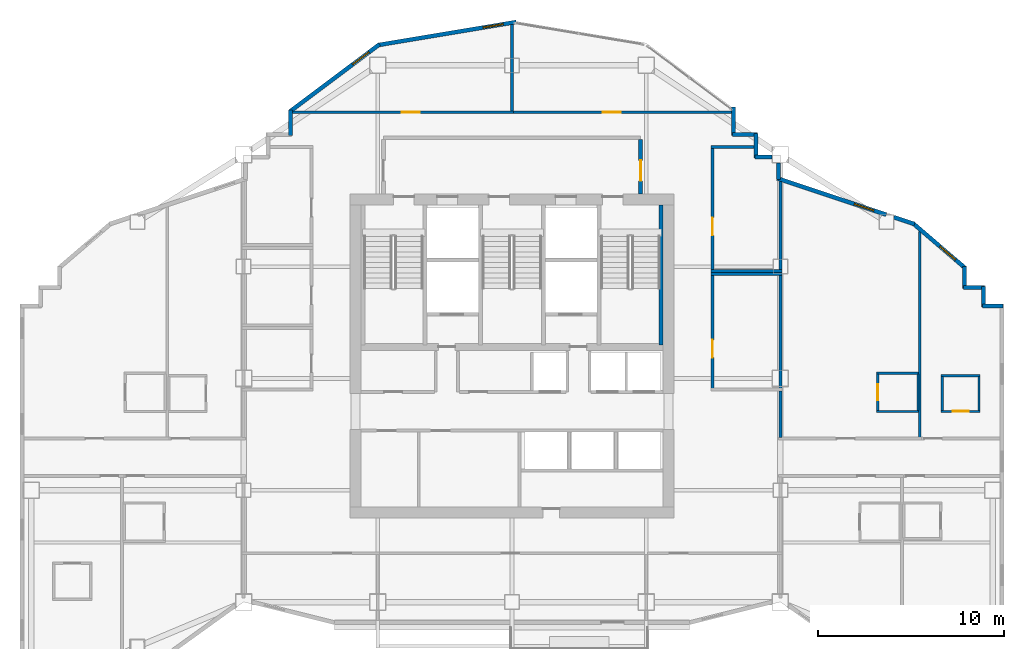
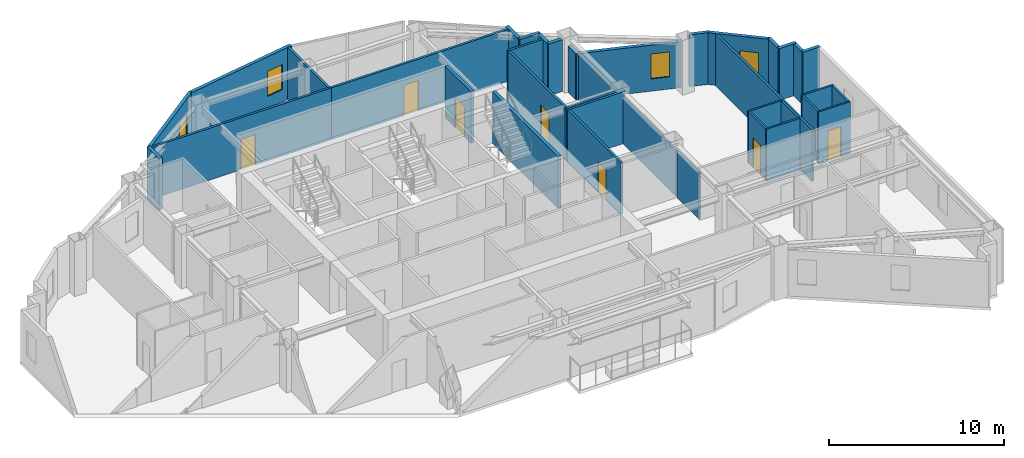
# One storey, part 8 of 10: 37 walls, 7 doors, 4 windows, 11 openings.
"""IFC4 building model written with IfcOpenShell, lengths in metres."""

from ifc_helpers import new_model, si_unit, direction, frame, frame_2d, origin, place, context, subcontext, project, spatial, rectangle, extrude, material, layer, layer_set, type_object, element, fill, save


model = new_model("IFC4")

# Units and contexts
model_context = context("Model", 3, precision=1e-05, world=origin(), true_north=direction((0.0, 1.0)))
body_context = subcontext(model_context, "Body", "Model", "MODEL_VIEW")
ifc_project = project(units=[si_unit("LENGTHUNIT", "METRE"), si_unit("AREAUNIT", "SQUARE_METRE"), si_unit("VOLUMEUNIT", "CUBIC_METRE"), si_unit("PLANEANGLEUNIT", "RADIAN"), si_unit("MASSUNIT", "GRAM", prefix="KILO")], contexts=[model_context])

# Site, building, storey
site_placement = place(None, origin())
site = spatial("IfcSite", under=ifc_project, at=site_placement, CompositionType="ELEMENT")
building_placement = place(site_placement, origin())
building = spatial("IfcBuilding", under=site, at=building_placement, Name="Haolan Belvedere Tower", CompositionType="ELEMENT")
storey_placement = place(building_placement, frame((0.0, 0.0, 176.60009765625)))
storey = spatial("IfcBuildingStorey", under=building, at=storey_placement, Name="L44", CompositionType="ELEMENT", Elevation=176.60009765625)

# Walls
ifc_material_1 = material(Name="Precast concrete C40/50", Category="concrete")
ifc_layer_1 = layer(ifc_material_1, 0.219970703125, Name="Precast concrete C40/50")
ifc_layer_set_1 = layer_set([ifc_layer_1], Name="Precast concrete C40/50")
wall_type_1 = type_object("IfcWallType", Name="WL-EXT-220", PredefinedType="SOLIDWALL", material=ifc_layer_set_1)
wall_1_placement = place(storey_placement, frame((64.7451171875, 37.489990234375, 0.0), z_axis=(0.0, 0.0, 1.0), x_axis=(-1.0, 0.0, 0.0)))
element("IfcWall", 1, at=wall_1_placement, inside=storey, type_object=wall_type_1, Name="L44 pale-metal exterior spandrel wall 9.1", PredefinedType="SOLIDWALL", context=body_context, shape_type="SweptSolid", body=[
    extrude(rectangle(XDim=1.110107421875, YDim=0.219970703125, at=frame_2d((0.55517578125, 0.0))), origin(), (0.0, 0.0, 1.0), 3.619873046875),
])
wall_2_placement = place(storey_placement, frame((63.68994140625, 37.43505859375, 0.0), z_axis=(0.0, 0.0, 1.0), x_axis=(0.0, 1.0, 0.0)))
element("IfcWall", 2, at=wall_2_placement, inside=storey, type_object=wall_type_1, Name="L44 pale-metal exterior spandrel wall 10.1", PredefinedType="SOLIDWALL", context=body_context, shape_type="SweptSolid", body=[
    extrude(rectangle(XDim=1.10986328125, YDim=0.219970703125, at=frame_2d((0.554931640625, 0.0))), origin(), (0.0, 0.0, 1.0), 3.619873046875),
])
wall_3_placement = place(storey_placement, frame((63.7451171875, 38.489990234375, 0.0), z_axis=(0.0, 0.0, 1.0), x_axis=(-1.0, 0.0, 0.0)))
element("IfcWall", 3, at=wall_3_placement, inside=storey, type_object=wall_type_1, Name="L44 pale-metal exterior spandrel wall 11.1", PredefinedType="SOLIDWALL", context=body_context, shape_type="SweptSolid", body=[
    extrude(rectangle(XDim=1.110107421875, YDim=0.219970703125, at=frame_2d((0.55517578125, 0.0))), origin(), (0.0, 0.0, 1.0), 3.619873046875),
])
wall_4_placement = place(storey_placement, frame((62.68994140625, 38.43505859375, 0.0), z_axis=(0.0, 0.0, 1.0), x_axis=(0.0, 1.0, 0.0)))
element("IfcWall", 4, at=wall_4_placement, inside=storey, type_object=wall_type_1, Name="L44 pale-metal exterior spandrel wall 12.1", PredefinedType="SOLIDWALL", context=body_context, shape_type="SweptSolid", body=[
    extrude(rectangle(XDim=1.16943359375, YDim=0.219970703125, at=frame_2d((0.584716796875, 0.0))), origin(), (0.0, 0.0, 1.0), 3.619873046875),
])

# Wall, opening, window
wall_5_placement = place(storey_placement, frame((62.731689453125, 39.513671875, 0.0), z_axis=(0.0, 0.0, 1.0), x_axis=(-0.759251976569, 0.65079677018, 0.0)))
wall_5 = element("IfcWall", 5, at=wall_5_placement, inside=storey, type_object=wall_type_1, Name="L44 pale-metal exterior spandrel wall 13.1", PredefinedType="SOLIDWALL", context=body_context, shape_type="SweptSolid", body=[
    extrude(rectangle(XDim=3.7255859375, YDim=0.219970703125, at=frame_2d((1.86279296875, 0.0))), origin(), (0.0, 0.0, 1.0), 3.619873046875),
])
opening_1_placement = place(wall_5_placement, frame((0.699951171875, 0.0, 0.85009765625)))
opening_1 = element("IfcOpeningElement", 6, at=opening_1_placement, cuts=wall_5, Name="Opening W-03", PredefinedType="OPENING", context=body_context, shape_type="SweptSolid", body=[
    extrude(rectangle(XDim=1.10009765625, YDim=1.75, at=frame_2d((0.550048828125, 0.875))), frame((0.0, 0.119873046875, 0.0), z_axis=(0.0, -1.0, 0.0), x_axis=(1.0, 0.0, 0.0)), (0.0, 0.0, 1.0), 0.239990234375),
])
ifc_material_2 = material(Name="Anodised aluminium 6063-T6 and Low-E glass", Category="aluminium")
window_type = type_object("IfcWindowType", Name="WN-DECO-Z3", PartitioningType="SINGLE_PANEL", PredefinedType="WINDOW", material=ifc_material_2)
window_1_placement = place(opening_1_placement, origin())
window_1 = element("IfcWindow", 7, at=window_1_placement, inside=storey, type_object=window_type, Name="L44 Art Deco chevron window 1", OverallHeight=1.75, OverallWidth=1.10009765625, PartitioningType="SINGLE_PANEL", PredefinedType="WINDOW", context=body_context, shape_type="SweptSolid", body=[
    extrude(rectangle(XDim=1.10009765625, YDim=1.75, at=frame_2d((0.550048828125, 0.875))), frame((0.0, 0.030029296875, 0.0), z_axis=(0.0, -1.0, 0.0), x_axis=(1.0, 0.0, 0.0)), (0.0, 0.0, 1.0), 0.06005859375),
])
fill(opening_1, window_1)

# Wall
wall_6_placement = place(storey_placement, frame((59.9970703125, 41.885009765625, 0.0), z_axis=(0.0, 0.0, 1.0), x_axis=(-0.948662335685, 0.316290646166, 0.0)))
element("IfcWall", 8, at=wall_6_placement, inside=storey, type_object=wall_type_1, Name="L44 pale-metal exterior spandrel wall 14.1", PredefinedType="SOLIDWALL", context=body_context, shape_type="SweptSolid", body=[
    extrude(rectangle(XDim=1.164794921875, YDim=0.219970703125, at=frame_2d((0.58251953125, 0.0))), origin(), (0.0, 0.0, 1.0), 3.619873046875),
])

# Wall, opening, window
wall_7_placement = place(storey_placement, frame((58.476318359375, 42.39208984375, 0.0), z_axis=(0.0, 0.0, 1.0), x_axis=(-0.948691231611, 0.316203964339, 0.0)))
wall_7 = element("IfcWall", 9, at=wall_7_placement, inside=storey, type_object=wall_type_1, Name="L44 pale-metal exterior spandrel wall 14.2", PredefinedType="SOLIDWALL", context=body_context, shape_type="SweptSolid", body=[
    extrude(rectangle(XDim=6.154296875, YDim=0.219970703125, at=frame_2d((3.0771484375, 0.0))), origin(), (0.0, 0.0, 1.0), 3.21484375),
])
opening_2_placement = place(wall_7_placement, frame((0.699951171875, 0.0, 0.85009765625)))
opening_2 = element("IfcOpeningElement", 10, at=opening_2_placement, cuts=wall_7, Name="Opening W-03", PredefinedType="OPENING", context=body_context, shape_type="SweptSolid", body=[
    extrude(rectangle(XDim=1.10009765625, YDim=1.75, at=frame_2d((0.550048828125, 0.875))), frame((0.0, 0.119873046875, 0.0), z_axis=(0.0, -1.0, 0.0), x_axis=(1.0, 0.0, 0.0)), (0.0, 0.0, 1.0), 0.239990234375),
])
window_2_placement = place(opening_2_placement, origin())
window_2 = element("IfcWindow", 11, at=window_2_placement, inside=storey, type_object=window_type, Name="L44 Art Deco chevron window 1", OverallHeight=1.75, OverallWidth=1.10009765625, PartitioningType="SINGLE_PANEL", PredefinedType="WINDOW", context=body_context, shape_type="SweptSolid", body=[
    extrude(rectangle(XDim=1.10009765625, YDim=1.75, at=frame_2d((0.550048828125, 0.875))), frame((0.0, 0.030029296875, 0.0), z_axis=(0.0, -1.0, 0.0), x_axis=(1.0, 0.0, 0.0)), (0.0, 0.0, 1.0), 0.06005859375),
])
fill(opening_2, window_2)

# Walls
wall_8_placement = place(storey_placement, frame((52.68994140625, 44.265625, 0.0), z_axis=(0.0, 0.0, 1.0), x_axis=(0.0, 1.0, 0.0)))
element("IfcWall", 12, at=wall_8_placement, inside=storey, type_object=wall_type_1, Name="L44 pale-metal exterior spandrel wall 15.1", PredefinedType="SOLIDWALL", context=body_context, shape_type="SweptSolid", body=[
    extrude(rectangle(XDim=0.892333984375, YDim=0.219970703125, at=frame_2d((0.4462890625, 0.0))), origin(), (0.0, 0.0, 1.0), 3.21484375),
])
wall_9_placement = place(storey_placement, frame((52.35791015625, 45.489990234375, 0.0), z_axis=(0.0, 0.0, 1.0), x_axis=(-1.0, 0.0, 0.0)))
element("IfcWall", 13, at=wall_9_placement, inside=storey, type_object=wall_type_1, Name="L44 pale-metal exterior spandrel wall 16.1", PredefinedType="SOLIDWALL", context=body_context, shape_type="SweptSolid", body=[
    extrude(rectangle(XDim=0.9228515625, YDim=0.219970703125, at=frame_2d((0.46142578125, 0.0))), origin(), (0.0, 0.0, 1.0), 3.619873046875),
])
wall_10_placement = place(storey_placement, frame((51.489990234375, 45.43505859375, 0.0), z_axis=(0.0, 0.0, 1.0), x_axis=(0.0, 1.0, 0.0)))
element("IfcWall", 14, at=wall_10_placement, inside=storey, type_object=wall_type_1, Name="L44 pale-metal exterior spandrel wall 17.1", PredefinedType="SOLIDWALL", context=body_context, shape_type="SweptSolid", body=[
    extrude(rectangle(XDim=1.31005859375, YDim=0.219970703125, at=frame_2d((0.655029296875, 0.0))), origin(), (0.0, 0.0, 1.0), 3.619873046875),
])
wall_11_placement = place(storey_placement, frame((51.544921875, 46.68994140625, 0.0), z_axis=(0.0, 0.0, 1.0), x_axis=(-1.0, 0.0, 0.0)))
element("IfcWall", 15, at=wall_11_placement, inside=storey, type_object=wall_type_1, Name="L44 pale-metal exterior spandrel wall 18.1", PredefinedType="SOLIDWALL", context=body_context, shape_type="SweptSolid", body=[
    extrude(rectangle(XDim=1.309814453125, YDim=0.219970703125, at=frame_2d((0.65478515625, 0.0))), origin(), (0.0, 0.0, 1.0), 3.619873046875),
])
wall_12_placement = place(storey_placement, frame((50.2900390625, 46.635009765625, 0.0), z_axis=(0.0, 0.0, 1.0), x_axis=(0.0, 1.0, 0.0)))
element("IfcWall", 16, at=wall_12_placement, inside=storey, type_object=wall_type_1, Name="L44 pale-metal exterior spandrel wall 19.1", PredefinedType="SOLIDWALL", context=body_context, shape_type="SweptSolid", body=[
    extrude(rectangle(XDim=1.534912109375, YDim=0.219970703125, at=frame_2d((0.767578125, 0.0))), origin(), (0.0, 0.0, 1.0), 3.619873046875),
])

# Wall, opening, window
wall_13_placement = place(storey_placement, frame((38.621826171875, 52.7255859375, 0.0), z_axis=(0.0, 0.0, 1.0), x_axis=(-0.986390420428, -0.164420006349, 0.0)))
wall_13 = element("IfcWall", 17, at=wall_13_placement, inside=storey, type_object=wall_type_1, Name="L44 pale-metal exterior spandrel wall 22.1", PredefinedType="SOLIDWALL", context=body_context, shape_type="SweptSolid", body=[
    extrude(rectangle(XDim=7.5341796875, YDim=0.219970703125, at=frame_2d((3.76708984375, 0.0))), origin(), (0.0, 0.0, 1.0), 3.619873046875),
])
opening_3_placement = place(wall_13_placement, frame((0.699951171875, 0.0, 0.85009765625)))
opening_3 = element("IfcOpeningElement", 18, at=opening_3_placement, cuts=wall_13, Name="Opening W-03", PredefinedType="OPENING", context=body_context, shape_type="SweptSolid", body=[
    extrude(rectangle(XDim=1.10009765625, YDim=1.75, at=frame_2d((0.550048828125, 0.875))), frame((0.0, 0.119873046875, 0.0), z_axis=(0.0, -1.0, 0.0), x_axis=(1.0, 0.0, 0.0)), (0.0, 0.0, 1.0), 0.239990234375),
])
window_3_placement = place(opening_3_placement, origin())
window_3 = element("IfcWindow", 19, at=window_3_placement, inside=storey, type_object=window_type, Name="L44 Art Deco chevron window 1", OverallHeight=1.75, OverallWidth=1.10009765625, PartitioningType="SINGLE_PANEL", PredefinedType="WINDOW", context=body_context, shape_type="SweptSolid", body=[
    extrude(rectangle(XDim=1.10009765625, YDim=1.75, at=frame_2d((0.550048828125, 0.875))), frame((0.0, 0.030029296875, 0.0), z_axis=(0.0, -1.0, 0.0), x_axis=(1.0, 0.0, 0.0)), (0.0, 0.0, 1.0), 0.06005859375),
])
fill(opening_3, window_3)

wall_14_placement = place(storey_placement, frame((31.28857421875, 51.52880859375, 0.0), z_axis=(0.0, 0.0, 1.0), x_axis=(-0.800014580093, -0.599980559383, 0.0)))
wall_14 = element("IfcWall", 20, at=wall_14_placement, inside=storey, type_object=wall_type_1, Name="L44 pale-metal exterior spandrel wall 23.1", PredefinedType="SOLIDWALL", context=body_context, shape_type="SweptSolid", body=[
    extrude(rectangle(XDim=6.028076171875, YDim=0.219970703125, at=frame_2d((3.01416015625, 0.0))), origin(), (0.0, 0.0, 1.0), 3.619873046875),
])
opening_4_placement = place(wall_14_placement, frame((0.699951171875, 0.0, 0.85009765625)))
opening_4 = element("IfcOpeningElement", 21, at=opening_4_placement, cuts=wall_14, Name="Opening W-03", PredefinedType="OPENING", context=body_context, shape_type="SweptSolid", body=[
    extrude(rectangle(XDim=1.10009765625, YDim=1.75, at=frame_2d((0.550048828125, 0.875))), frame((0.0, 0.119873046875, 0.0), z_axis=(0.0, -1.0, 0.0), x_axis=(1.0, 0.0, 0.0)), (0.0, 0.0, 1.0), 0.239990234375),
])
window_4_placement = place(opening_4_placement, origin())
window_4 = element("IfcWindow", 22, at=window_4_placement, inside=storey, type_object=window_type, Name="L44 Art Deco chevron window 1", OverallHeight=1.75, OverallWidth=1.10009765625, PartitioningType="SINGLE_PANEL", PredefinedType="WINDOW", context=body_context, shape_type="SweptSolid", body=[
    extrude(rectangle(XDim=1.10009765625, YDim=1.75, at=frame_2d((0.550048828125, 0.875))), frame((0.0, 0.030029296875, 0.0), z_axis=(0.0, -1.0, 0.0), x_axis=(1.0, 0.0, 0.0)), (0.0, 0.0, 1.0), 0.06005859375),
])
fill(opening_4, window_4)

# Wall
wall_15_placement = place(storey_placement, frame((26.510009765625, 48.0, 0.0), z_axis=(0.0, 0.0, 1.0), x_axis=(0.0, -1.0, 0.0)))
element("IfcWall", 23, at=wall_15_placement, inside=storey, type_object=wall_type_1, Name="L44 pale-metal exterior spandrel wall 24.1", PredefinedType="SOLIDWALL", context=body_context, shape_type="SweptSolid", body=[
    extrude(rectangle(XDim=1.364990234375, YDim=0.219970703125, at=frame_2d((0.6826171875, 0.0))), origin(), (0.0, 0.0, 1.0), 3.619873046875),
])

# Wall, opening, door
ifc_material_3 = material(Name="Concrete C40/50", Category="concrete")
ifc_layer_2 = layer(ifc_material_3, 0.199951171875, Name="Concrete C40/50")
ifc_layer_set_2 = layer_set([ifc_layer_2], Name="Concrete C40/50")
wall_type_2 = type_object("IfcWallType", Name="WL-FIRE-200", PredefinedType="SOLIDWALL", material=ifc_layer_set_2)
wall_16_placement = place(storey_placement, frame((45.300048828125, 43.5, 0.0), z_axis=(0.0, 0.0, 1.0), x_axis=(0.0, 1.0, 0.0)))
wall_16 = element("IfcWall", 24, at=wall_16_placement, inside=storey, type_object=wall_type_2, Name="L44 interior partition IW-L44-FFL-E", PredefinedType="SOLIDWALL", context=body_context, shape_type="SweptSolid", body=[
    extrude(rectangle(XDim=2.93505859375, YDim=0.199951171875, at=frame_2d((1.467529296875, 0.0))), origin(), (0.0, 0.0, 1.0), 3.619873046875),
])
opening_5_placement = place(wall_16_placement, frame((0.699951171875, 0.0, 0.0)))
opening_5 = element("IfcOpeningElement", 25, at=opening_5_placement, cuts=wall_16, Name="Opening FD-03", PredefinedType="OPENING", context=body_context, shape_type="SweptSolid", body=[
    extrude(rectangle(XDim=1.10009765625, YDim=2.14990234375, at=frame_2d((0.550048828125, 1.074951171875))), frame((0.0, 0.10986328125, 0.0), z_axis=(0.0, -1.0, 0.0), x_axis=(1.0, 0.0, 0.0)), (0.0, 0.0, 1.0), 0.219970703125),
])
ifc_material_4 = material(Name="Galvanised fire-rated steel", Category="steel")
door_type_1 = type_object("IfcDoorType", Name="DR-FD90-1100", OperationType="NOTDEFINED", PredefinedType="DOOR", material=ifc_material_4)
door_1_placement = place(opening_5_placement, origin())
door_1 = element("IfcDoor", 26, at=door_1_placement, inside=storey, type_object=door_type_1, Name="L44 door ID-L44-FFL-DE", OperationType="SINGLE_SWING_RIGHT", OverallHeight=2.14990234375, OverallWidth=1.10009765625, PredefinedType="DOOR", context=body_context, shape_type="SweptSolid", body=[
    extrude(rectangle(XDim=1.10009765625, YDim=2.14990234375, at=frame_2d((0.550048828125, 1.074951171875))), frame((0.0, 0.02490234375, 0.0), z_axis=(0.0, -1.0, 0.0), x_axis=(1.0, 0.0, 0.0)), (0.0, 0.0, 1.0), 0.050048828125),
])
fill(opening_5, door_1)

# Wall
ifc_material_5 = material(Name="Double gypsum acoustic stud partition", Category="masonry")
ifc_layer_3 = layer(ifc_material_5, 0.14990234375, Name="Double gypsum acoustic stud partition")
ifc_layer_set_3 = layer_set([ifc_layer_3], Name="Double gypsum acoustic stud partition")
wall_type_3 = type_object("IfcWallType", Name="WL-PART-150", PredefinedType="PARTITIONING", material=ifc_layer_set_3)
wall_17_placement = place(storey_placement, frame((49.080078125, 39.199951171875, 0.0), z_axis=(0.0, 0.0, 1.0), x_axis=(1.0, 0.0, 0.0)))
element("IfcWall", 27, at=wall_17_placement, inside=storey, type_object=wall_type_3, Name="L44 interior partition IW-L44-HSK-N", PredefinedType="PARTITIONING", context=body_context, shape_type="SweptSolid", body=[
    extrude(rectangle(XDim=3.7998046875, YDim=0.14990234375, at=frame_2d((1.89990234375, 0.0))), origin(), (0.0, 0.0, 1.0), 3.619873046875),
])

# Wall, opening, door
wall_18_placement = place(storey_placement, frame((49.159912109375, 33.06005859375, 0.0), z_axis=(0.0, 0.0, 1.0), x_axis=(0.0, 1.0, 0.0)))
wall_18 = element("IfcWall", 28, at=wall_18_placement, inside=storey, type_object=wall_type_3, Name="L44 interior partition IW-L44-HSK-W", PredefinedType="PARTITIONING", context=body_context, shape_type="SweptSolid", body=[
    extrude(rectangle(XDim=6.079833984375, YDim=0.14990234375, at=frame_2d((3.0400390625, 0.0))), origin(), (0.0, 0.0, 1.0), 3.619873046875),
])
opening_6_placement = place(wall_18_placement, frame((1.659912109375, 0.0, 0.0)))
opening_6 = element("IfcOpeningElement", 29, at=opening_6_placement, cuts=wall_18, Name="Opening ID-03", PredefinedType="OPENING", context=body_context, shape_type="SweptSolid", body=[
    extrude(rectangle(XDim=0.949951171875, YDim=2.1201171875, at=frame_2d((0.47509765625, 1.06005859375))), frame((0.0, 0.0849609375, 0.0), z_axis=(0.0, -1.0, 0.0), x_axis=(1.0, 0.0, 0.0)), (0.0, 0.0, 1.0), 0.169921875),
])
ifc_material_6 = material(Name="Painted solid-core timber", Category="wood")
door_type_2 = type_object("IfcDoorType", Name="DR-INT-950", OperationType="NOTDEFINED", PredefinedType="DOOR", material=ifc_material_6)
door_2_placement = place(opening_6_placement, origin())
door_2 = element("IfcDoor", 30, at=door_2_placement, inside=storey, type_object=door_type_2, Name="L44 door ID-L44-HSK", OperationType="SINGLE_SWING_RIGHT", OverallHeight=2.1201171875, OverallWidth=0.949951171875, PredefinedType="DOOR", context=body_context, shape_type="SweptSolid", body=[
    extrude(rectangle(XDim=0.949951171875, YDim=2.1201171875, at=frame_2d((0.47509765625, 1.06005859375))), frame((0.0, 0.02490234375, 0.0), z_axis=(0.0, -1.0, 0.0), x_axis=(1.0, 0.0, 0.0)), (0.0, 0.0, 1.0), 0.050048828125),
])
fill(opening_6, door_2)

# Walls
wall_19_placement = place(storey_placement, frame((52.800048828125, 33.06005859375, 0.0), z_axis=(0.0, 0.0, 1.0), x_axis=(0.0, 1.0, 0.0)))
element("IfcWall", 31, at=wall_19_placement, inside=storey, type_object=wall_type_3, Name="L44 interior partition IW-L44-HSK-E", PredefinedType="PARTITIONING", context=body_context, shape_type="SweptSolid", body=[
    extrude(rectangle(XDim=6.079833984375, YDim=0.14990234375, at=frame_2d((3.0400390625, 0.0))), origin(), (0.0, 0.0, 1.0), 3.21484375),
])
wall_20_placement = place(storey_placement, frame((49.080078125, 46.02001953125, 0.0), z_axis=(0.0, 0.0, 1.0), x_axis=(1.0, 0.0, 0.0)))
element("IfcWall", 32, at=wall_20_placement, inside=storey, type_object=wall_type_3, Name="L44 interior partition IW-L44-MTG-N", PredefinedType="PARTITIONING", context=body_context, shape_type="SweptSolid", body=[
    extrude(rectangle(XDim=2.307861328125, YDim=0.14990234375, at=frame_2d((1.15380859375, 0.0))), origin(), (0.0, 0.0, 1.0), 3.619873046875),
])
wall_21_placement = place(storey_placement, frame((49.080078125, 39.360107421875, 0.0), z_axis=(0.0, 0.0, 1.0), x_axis=(1.0, 0.0, 0.0)))
element("IfcWall", 33, at=wall_21_placement, inside=storey, type_object=wall_type_3, Name="L44 interior partition IW-L44-MTG-S", PredefinedType="PARTITIONING", context=body_context, shape_type="SweptSolid", body=[
    extrude(rectangle(XDim=3.7998046875, YDim=0.14990234375, at=frame_2d((1.89990234375, 0.0))), origin(), (0.0, 0.0, 1.0), 3.619873046875),
])

# Wall, opening, door
wall_22_placement = place(storey_placement, frame((49.159912109375, 39.419921875, 0.0), z_axis=(0.0, 0.0, 1.0), x_axis=(0.0, 1.0, 0.0)))
wall_22 = element("IfcWall", 34, at=wall_22_placement, inside=storey, type_object=wall_type_3, Name="L44 interior partition IW-L44-MTG-W", PredefinedType="PARTITIONING", context=body_context, shape_type="SweptSolid", body=[
    extrude(rectangle(XDim=6.5400390625, YDim=0.14990234375, at=frame_2d((3.27001953125, 0.0))), origin(), (0.0, 0.0, 1.0), 3.619873046875),
])
opening_7_placement = place(wall_22_placement, frame((1.860107421875, 0.0, 0.0)))
opening_7 = element("IfcOpeningElement", 35, at=opening_7_placement, cuts=wall_22, Name="Opening ID-03", PredefinedType="OPENING", context=body_context, shape_type="SweptSolid", body=[
    extrude(rectangle(XDim=0.949951171875, YDim=2.1201171875, at=frame_2d((0.47509765625, 1.06005859375))), frame((0.0, 0.0849609375, 0.0), z_axis=(0.0, -1.0, 0.0), x_axis=(1.0, 0.0, 0.0)), (0.0, 0.0, 1.0), 0.169921875),
])
door_3_placement = place(opening_7_placement, origin())
door_3 = element("IfcDoor", 36, at=door_3_placement, inside=storey, type_object=door_type_2, Name="L44 door ID-L44-MTG", OperationType="SINGLE_SWING_LEFT", OverallHeight=2.1201171875, OverallWidth=0.949951171875, PredefinedType="DOOR", context=body_context, shape_type="SweptSolid", body=[
    extrude(rectangle(XDim=0.949951171875, YDim=2.1201171875, at=frame_2d((0.47509765625, 1.06005859375))), frame((0.0, 0.02490234375, 0.0), z_axis=(0.0, -1.0, 0.0), x_axis=(1.0, 0.0, 0.0)), (0.0, 0.0, 1.0), 0.050048828125),
])
fill(opening_7, door_3)

# Wall
wall_23_placement = place(storey_placement, frame((52.800048828125, 39.419921875, 0.0), z_axis=(0.0, 0.0, 1.0), x_axis=(0.0, 1.0, 0.0)))
element("IfcWall", 37, at=wall_23_placement, inside=storey, type_object=wall_type_3, Name="L44 interior partition IW-L44-MTG-E", PredefinedType="PARTITIONING", context=body_context, shape_type="SweptSolid", body=[
    extrude(rectangle(XDim=4.756591796875, YDim=0.14990234375, at=frame_2d((2.37841796875, 0.0))), origin(), (0.0, 0.0, 1.0), 3.21484375),
])

# Wall, opening, door
wall_24_placement = place(storey_placement, frame((26.612060546875, 47.8798828125, 0.0), z_axis=(0.0, 0.0, 1.0), x_axis=(1.0, 0.0, 0.0)))
wall_24 = element("IfcWall", 38, at=wall_24_placement, inside=storey, type_object=wall_type_3, Name="L44 interior partition IW-L44-KN1-S", PredefinedType="PARTITIONING", context=body_context, shape_type="SweptSolid", body=[
    extrude(rectangle(XDim=11.867919921875, YDim=0.14990234375, at=frame_2d((5.93408203125, 0.0))), origin(), (0.0, 0.0, 1.0), 3.619873046875),
])
opening_8_placement = place(wall_24_placement, frame((5.883056640625, 0.0, 0.0)))
opening_8 = element("IfcOpeningElement", 39, at=opening_8_placement, cuts=wall_24, Name="Opening ID-03", PredefinedType="OPENING", context=body_context, shape_type="SweptSolid", body=[
    extrude(rectangle(XDim=0.949951171875, YDim=2.1201171875, at=frame_2d((0.47509765625, 1.06005859375))), frame((0.0, 0.0849609375, 0.0), z_axis=(0.0, -1.0, 0.0), x_axis=(1.0, 0.0, 0.0)), (0.0, 0.0, 1.0), 0.169921875),
])
door_4_placement = place(opening_8_placement, origin())
door_4 = element("IfcDoor", 40, at=door_4_placement, inside=storey, type_object=door_type_2, Name="L44 door ID-L44-KN1", OperationType="SINGLE_SWING_LEFT", OverallHeight=2.1201171875, OverallWidth=0.949951171875, PredefinedType="DOOR", context=body_context, shape_type="SweptSolid", body=[
    extrude(rectangle(XDim=0.949951171875, YDim=2.1201171875, at=frame_2d((0.47509765625, 1.06005859375))), frame((0.0, 0.02490234375, 0.0), z_axis=(0.0, -1.0, 0.0), x_axis=(1.0, 0.0, 0.0)), (0.0, 0.0, 1.0), 0.050048828125),
])
fill(opening_8, door_4)

# Wall
wall_25_placement = place(storey_placement, frame((38.39990234375, 47.93994140625, 0.0), z_axis=(0.0, 0.0, 1.0), x_axis=(0.0, 1.0, 0.0)))
element("IfcWall", 41, at=wall_25_placement, inside=storey, type_object=wall_type_3, Name="L44 interior partition IW-L44-KN1-E", PredefinedType="PARTITIONING", context=body_context, shape_type="SweptSolid", body=[
    extrude(rectangle(XDim=4.645263671875, YDim=0.14990234375, at=frame_2d((2.32275390625, 0.0))), origin(), (0.0, 0.0, 1.0), 3.619873046875),
])

# Wall, opening, door
wall_26_placement = place(storey_placement, frame((38.48193359375, 47.8798828125, 0.0), z_axis=(0.0, 0.0, 1.0), x_axis=(1.0, 0.0, 0.0)))
wall_26 = element("IfcWall", 42, at=wall_26_placement, inside=storey, type_object=wall_type_3, Name="L44 interior partition IW-L44-KN2-S", PredefinedType="PARTITIONING", context=body_context, shape_type="SweptSolid", body=[
    extrude(rectangle(XDim=11.7060546875, YDim=0.14990234375, at=frame_2d((5.85302734375, 0.0))), origin(), (0.0, 0.0, 1.0), 3.619873046875),
])
opening_9_placement = place(wall_26_placement, frame((4.79296875, 0.0, 0.0)))
opening_9 = element("IfcOpeningElement", 43, at=opening_9_placement, cuts=wall_26, Name="Opening ID-03", PredefinedType="OPENING", context=body_context, shape_type="SweptSolid", body=[
    extrude(rectangle(XDim=0.949951171875, YDim=2.1201171875, at=frame_2d((0.47509765625, 1.06005859375))), frame((0.0, 0.0849609375, 0.0), z_axis=(0.0, -1.0, 0.0), x_axis=(1.0, 0.0, 0.0)), (0.0, 0.0, 1.0), 0.169921875),
])
door_5_placement = place(opening_9_placement, origin())
door_5 = element("IfcDoor", 44, at=door_5_placement, inside=storey, type_object=door_type_2, Name="L44 door ID-L44-KN2", OperationType="SINGLE_SWING_RIGHT", OverallHeight=2.1201171875, OverallWidth=0.949951171875, PredefinedType="DOOR", context=body_context, shape_type="SweptSolid", body=[
    extrude(rectangle(XDim=0.949951171875, YDim=2.1201171875, at=frame_2d((0.47509765625, 1.06005859375))), frame((0.0, 0.02490234375, 0.0), z_axis=(0.0, -1.0, 0.0), x_axis=(1.0, 0.0, 0.0)), (0.0, 0.0, 1.0), 0.050048828125),
])
fill(opening_9, door_5)

# Walls
wall_27_placement = place(storey_placement, frame((52.800048828125, 30.43994140625, 0.0), z_axis=(0.0, 0.0, 1.0), x_axis=(0.0, 1.0, 0.0)))
element("IfcWall", 45, at=wall_27_placement, inside=storey, type_object=wall_type_3, Name="L44 interior partition IW-L44-T4N1-W", PredefinedType="PARTITIONING", context=body_context, shape_type="SweptSolid", body=[
    extrude(rectangle(XDim=2.5, YDim=0.14990234375, at=frame_2d((1.25, 0.0))), origin(), (0.0, 0.0, 1.0), 3.21484375),
])
wall_28_placement = place(storey_placement, frame((60.280029296875, 30.43994140625, 0.0), z_axis=(0.0, 0.0, 1.0), x_axis=(0.0, 1.0, 0.0)))
element("IfcWall", 46, at=wall_28_placement, inside=storey, type_object=wall_type_3, Name="L44 interior partition IW-L44-T4N1-E", PredefinedType="PARTITIONING", context=body_context, shape_type="SweptSolid", body=[
    extrude(rectangle(XDim=11.040771484375, YDim=0.14990234375, at=frame_2d((5.5205078125, 0.0))), origin(), (0.0, 0.0, 1.0), 3.619873046875),
])
ifc_material_7 = material(Name="Concrete C50/60", Category="concrete")
ifc_layer_4 = layer(ifc_material_7, 0.219970703125, Name="Concrete C50/60")
ifc_layer_set_4 = layer_set([ifc_layer_4], Name="Concrete C50/60")
wall_type_4 = type_object("IfcWallType", Name="WL-STAIR-220", PredefinedType="SHEAR", material=ifc_layer_set_4)
wall_29_placement = place(storey_placement, frame((46.387939453125, 35.389892578125, 0.0), z_axis=(0.0, 0.0, 1.0), x_axis=(0.0, 1.0, 0.0)))
element("IfcWall", 47, at=wall_29_placement, inside=storey, type_object=wall_type_4, Name="L44 structural stair core wall ST2E", PredefinedType="SHEAR", context=body_context, shape_type="SweptSolid", body=[
    extrude(rectangle(XDim=7.510009765625, YDim=0.219970703125, at=frame_2d((3.7548828125, 0.0))), origin(), (0.0, 0.0, 1.0), 3.619873046875),
])
ifc_material_8 = material(Name="Moisture-resistant gypsum tile partition", Category="masonry")
ifc_layer_5 = layer(ifc_material_8, 0.1201171875, Name="Moisture-resistant gypsum tile partition")
ifc_layer_set_5 = layer_set([ifc_layer_5], Name="Moisture-resistant gypsum tile partition")
wall_type_5 = type_object("IfcWallType", Name="WL-WET-120", PredefinedType="PARTITIONING", material=ifc_layer_set_5)
for number, where, z_axis, x_axis, name in (
    (48, (57.969970703125, 33.8798828125, 0.0), (0.0, 0.0, 1.0), (1.0, 0.0, 0.0), "L44 interior partition IW-L44-T4N1-BN"),
    (49, (57.969970703125, 31.830078125, 0.0), (0.0, 0.0, 1.0), (1.0, 0.0, 0.0), "L44 interior partition IW-L44-T4N1-BS"),
):
    element("IfcWall", number, at=place(storey_placement, frame(where, z_axis=z_axis, x_axis=x_axis)), inside=storey, type_object=wall_type_5, Name=name, PredefinedType="PARTITIONING", context=body_context, shape_type="SweptSolid", body=[
        extrude(rectangle(XDim=2.25, YDim=0.1201171875, at=frame_2d((1.125, 0.0))), origin(), (0.0, 0.0, 1.0), 3.619873046875),
    ])

# Wall, opening, door
wall_30_placement = place(storey_placement, frame((58.030029296875, 31.875, 0.0), z_axis=(0.0, 0.0, 1.0), x_axis=(0.0, 1.0, 0.0)))
wall_30 = element("IfcWall", 50, at=wall_30_placement, inside=storey, type_object=wall_type_5, Name="L44 interior partition IW-L44-T4N1-BW", PredefinedType="PARTITIONING", context=body_context, shape_type="SweptSolid", body=[
    extrude(rectangle(XDim=1.9599609375, YDim=0.1201171875, at=frame_2d((0.97998046875, 0.0))), origin(), (0.0, 0.0, 1.0), 3.619873046875),
])
opening_10_placement = place(wall_30_placement, frame((1.405029296875, 0.0, 0.0), z_axis=(0.0, 0.0, 1.0), x_axis=(-1.0, 0.0, 0.0)))
opening_10 = element("IfcOpeningElement", 51, at=opening_10_placement, cuts=wall_30, Name="Opening ID-05", PredefinedType="OPENING", context=body_context, shape_type="SweptSolid", body=[
    extrude(rectangle(XDim=0.85009765625, YDim=2.10009765625, at=frame_2d((0.425048828125, 1.050048828125))), frame((0.0, 0.070068359375, 0.0), z_axis=(0.0, -1.0, 0.0), x_axis=(1.0, 0.0, 0.0)), (0.0, 0.0, 1.0), 0.14013671875),
])
ifc_material_9 = material(Name="Moisture-resistant lacquered timber", Category="wood")
door_type_3 = type_object("IfcDoorType", Name="DR-BATH-850", OperationType="NOTDEFINED", PredefinedType="DOOR", material=ifc_material_9)
door_6_placement = place(opening_10_placement, origin())
door_6 = element("IfcDoor", 52, at=door_6_placement, inside=storey, type_object=door_type_3, Name="L44 door ID-L44-T4N1-BATH", OperationType="SINGLE_SWING_RIGHT", OverallHeight=2.10009765625, OverallWidth=0.85009765625, PredefinedType="DOOR", context=body_context, shape_type="SweptSolid", body=[
    extrude(rectangle(XDim=0.85009765625, YDim=2.10009765625, at=frame_2d((0.425048828125, 1.050048828125))), frame((0.0, 0.02490234375, 0.0), z_axis=(0.0, -1.0, 0.0), x_axis=(1.0, 0.0, 0.0)), (0.0, 0.0, 1.0), 0.050048828125),
])
fill(opening_10, door_6)

# Walls
wall_31_placement = place(storey_placement, frame((60.179931640625, 31.875, 0.0), z_axis=(0.0, 0.0, 1.0), x_axis=(0.0, 1.0, 0.0)))
element("IfcWall", 53, at=wall_31_placement, inside=storey, type_object=wall_type_5, Name="L44 interior partition IW-L44-T4N1-BE", PredefinedType="PARTITIONING", context=body_context, shape_type="SweptSolid", body=[
    extrude(rectangle(XDim=1.9599609375, YDim=0.1201171875, at=frame_2d((0.97998046875, 0.0))), origin(), (0.0, 0.0, 1.0), 3.619873046875),
])
wall_32_placement = place(storey_placement, frame((61.425048828125, 33.75, 0.0), z_axis=(0.0, 0.0, 1.0), x_axis=(1.0, 0.0, 0.0)))
element("IfcWall", 54, at=wall_32_placement, inside=storey, type_object=wall_type_5, Name="L44 interior partition IW-L44-T4N2-BN", PredefinedType="PARTITIONING", context=body_context, shape_type="SweptSolid", body=[
    extrude(rectangle(XDim=2.099853515625, YDim=0.1201171875, at=frame_2d((1.0498046875, 0.0))), origin(), (0.0, 0.0, 1.0), 3.619873046875),
])

# Wall, opening, door
wall_33_placement = place(storey_placement, frame((61.425048828125, 31.830078125, 0.0), z_axis=(0.0, 0.0, 1.0), x_axis=(1.0, 0.0, 0.0)))
wall_33 = element("IfcWall", 55, at=wall_33_placement, inside=storey, type_object=wall_type_5, Name="L44 interior partition IW-L44-T4N2-BS", PredefinedType="PARTITIONING", context=body_context, shape_type="SweptSolid", body=[
    extrude(rectangle(XDim=2.099853515625, YDim=0.1201171875, at=frame_2d((1.0498046875, 0.0))), origin(), (0.0, 0.0, 1.0), 3.619873046875),
])
opening_11_placement = place(wall_33_placement, frame((0.625, 0.0, 0.0)))
opening_11 = element("IfcOpeningElement", 56, at=opening_11_placement, cuts=wall_33, Name="Opening ID-05", PredefinedType="OPENING", context=body_context, shape_type="SweptSolid", body=[
    extrude(rectangle(XDim=0.85009765625, YDim=2.10009765625, at=frame_2d((0.425048828125, 1.050048828125))), frame((0.0, 0.070068359375, 0.0), z_axis=(0.0, -1.0, 0.0), x_axis=(1.0, 0.0, 0.0)), (0.0, 0.0, 1.0), 0.14013671875),
])
door_7_placement = place(opening_11_placement, origin())
door_7 = element("IfcDoor", 57, at=door_7_placement, inside=storey, type_object=door_type_3, Name="L44 door ID-L44-T4N2-BATH", OperationType="SINGLE_SWING_LEFT", OverallHeight=2.10009765625, OverallWidth=0.85009765625, PredefinedType="DOOR", context=body_context, shape_type="SweptSolid", body=[
    extrude(rectangle(XDim=0.85009765625, YDim=2.10009765625, at=frame_2d((0.425048828125, 1.050048828125))), frame((0.0, 0.02490234375, 0.0), z_axis=(0.0, -1.0, 0.0), x_axis=(1.0, 0.0, 0.0)), (0.0, 0.0, 1.0), 0.050048828125),
])
fill(opening_11, door_7)

# Walls
for number, where, z_axis, x_axis, name in (
    (58, (61.485107421875, 31.875, 0.0), (0.0, 0.0, 1.0), (0.0, 1.0, 0.0), "L44 interior partition IW-L44-T4N2-BW"),
    (59, (63.465087890625, 31.875, 0.0), (0.0, 0.0, 1.0), (0.0, 1.0, 0.0), "L44 interior partition IW-L44-T4N2-BE"),
):
    element("IfcWall", number, at=place(storey_placement, frame(where, z_axis=z_axis, x_axis=x_axis)), inside=storey, type_object=wall_type_5, Name=name, PredefinedType="PARTITIONING", context=body_context, shape_type="SweptSolid", body=[
        extrude(rectangle(XDim=1.830078125, YDim=0.1201171875, at=frame_2d((0.9150390625, 0.0))), origin(), (0.0, 0.0, 1.0), 3.619873046875),
    ])

save(model, "model.ifc")
